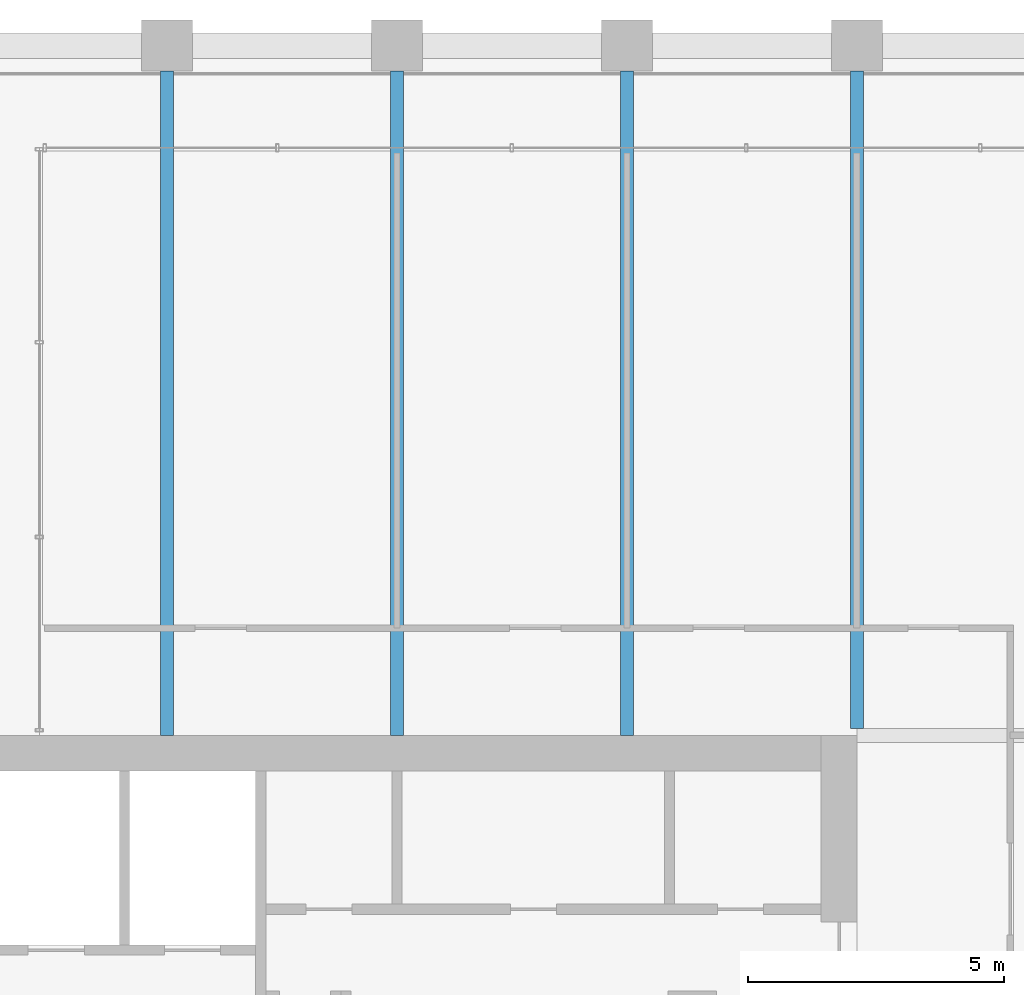
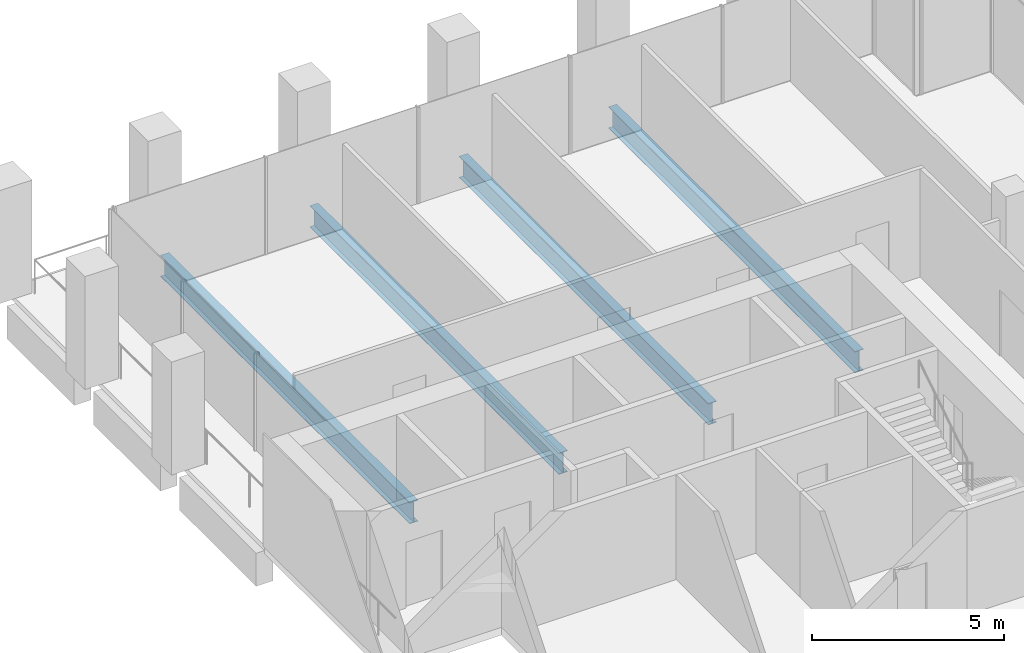
# One storey, part 22 of 46: 4 beams.
"""IFC4 building model written with IfcOpenShell, lengths in metres."""

from ifc_helpers import new_model, si_unit, direction, frame, origin, origin_2d, place, context, subcontext, project, spatial, i_section, extrude, material, material_profile, profile_set, type_object, element, save


model = new_model("IFC4")

# Units and contexts
model_context = context("Model", 3, precision=1e-05, world=origin(), true_north=direction((0.0, 1.0)))
body_context = subcontext(model_context, "Body", "Model", "MODEL_VIEW")
ifc_project = project(units=[si_unit("LENGTHUNIT", "METRE"), si_unit("AREAUNIT", "SQUARE_METRE"), si_unit("VOLUMEUNIT", "CUBIC_METRE"), si_unit("PLANEANGLEUNIT", "RADIAN"), si_unit("MASSUNIT", "GRAM", prefix="KILO")], contexts=[model_context])

# Site, building, storey
site_placement = place(None, origin())
site = spatial("IfcSite", under=ifc_project, at=site_placement, CompositionType="ELEMENT")
building_placement = place(site_placement, origin())
building = spatial("IfcBuilding", under=site, at=building_placement, Name="Altepetl Exchange Towers", CompositionType="ELEMENT")
storey_placement = place(building_placement, frame((0.0, 0.0, 128.0)))
storey = spatial("IfcBuildingStorey", under=building, at=storey_placement, Name="L31", CompositionType="ELEMENT", Elevation=128.0)

# Beams
ifc_material = material(Name="Steel S355", Category="steel")
ifc_material_profile = material_profile(ifc_material, i_section(OverallWidth=0.25390625, OverallDepth=0.68408203125, WebThickness=0.012451171875, FlangeThickness=0.018798828125, at=origin_2d()), Name="W27X94")
ifc_profile_set = profile_set([ifc_material_profile], Name="Steel S355")
beam_type = type_object("IfcBeamType", Name="Floor beam W27X94", PredefinedType="BEAM", material=ifc_profile_set)
for number, where, z_axis, x_axis, name in (
    (1, (45.0, 58.5, -0.491943359375), (0.0, 1.0, 0.0), (-1.0, 0.0, 0.0), "bm:A:L31:000"),
    (2, (49.5, 58.5, -0.491943359375), (0.0, 1.0, 0.0), (-1.0, 0.0, 0.0), "bm:A:L31:001"),
    (3, (54.0, 58.5, -0.491943359375), (0.0, 1.0, 0.0), (-1.0, 0.0, 0.0), "bm:A:L31:002"),
):
    element("IfcBeam", number, at=place(storey_placement, frame(where, z_axis=z_axis, x_axis=x_axis)), inside=storey, type_object=beam_type, Name=name, PredefinedType="BEAM", context=body_context, shape_type="SweptSolid", body=[
        extrude(i_section(OverallWidth=0.25390625, OverallDepth=0.68408203125, WebThickness=0.012451171875, FlangeThickness=0.018798828125, at=origin_2d()), origin(), (0.0, 0.0, 1.0), 13.0),
    ])
beam_placement = place(storey_placement, frame((58.5, 58.634033203125, -0.491943359375), z_axis=(0.0, 1.0, 0.0), x_axis=(-1.0, 0.0, 0.0)))
element("IfcBeam", 4, at=beam_placement, inside=storey, type_object=beam_type, Name="bm:A:L31:003", PredefinedType="BEAM", context=body_context, shape_type="SweptSolid", body=[
    extrude(i_section(OverallWidth=0.25390625, OverallDepth=0.68408203125, WebThickness=0.012451171875, FlangeThickness=0.018798828125, at=origin_2d()), origin(), (0.0, 0.0, 1.0), 12.865966796875),
])

save(model, "model.ifc")
